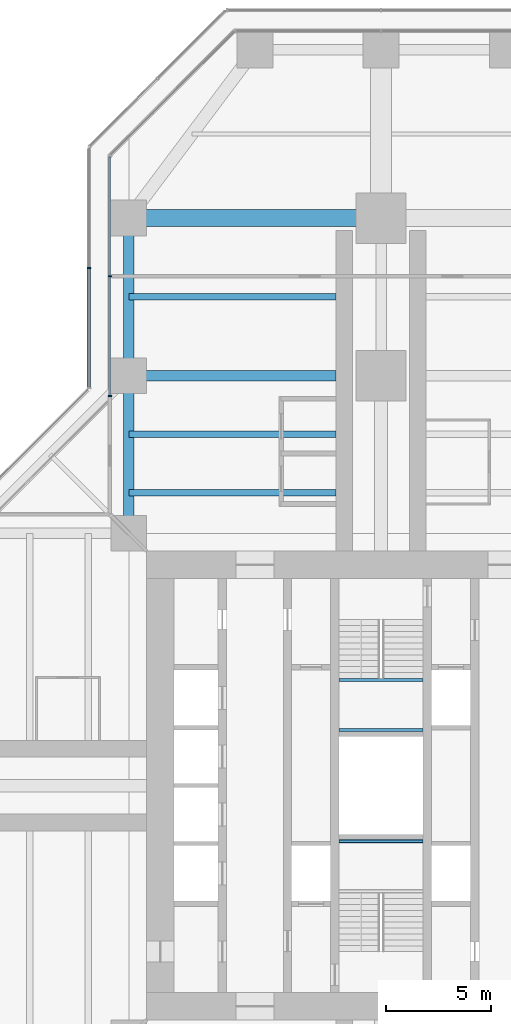
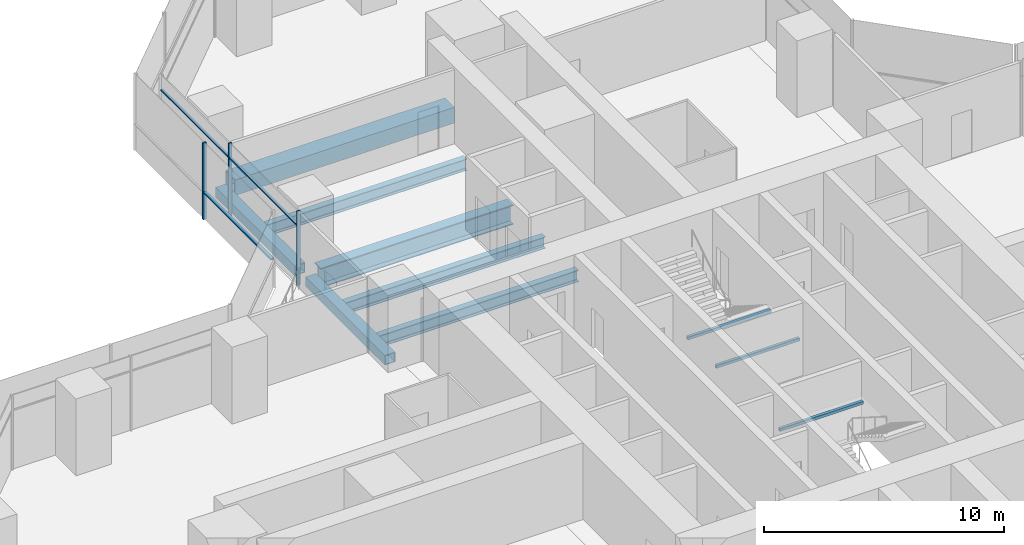
# One storey, part 9 of 22: 10 beams, 6 members, 2 elements without a shape of their own.
"""IFC4 building model written with IfcOpenShell, lengths in metres."""

from ifc_helpers import new_model, si_unit, direction, frame, origin, origin_2d, place, context, subcontext, project, spatial, rectangle, hollow_rectangle, i_section, extrude, material, material_profile, profile_set, type_object, element, aggregate, save


model = new_model("IFC4")

# Units and contexts
model_context = context("Model", 3, precision=1e-05, world=origin(), true_north=direction((0.0, 1.0)))
body_context = subcontext(model_context, "Body", "Model", "MODEL_VIEW")
ifc_project = project(units=[si_unit("LENGTHUNIT", "METRE"), si_unit("AREAUNIT", "SQUARE_METRE"), si_unit("VOLUMEUNIT", "CUBIC_METRE"), si_unit("PLANEANGLEUNIT", "RADIAN"), si_unit("MASSUNIT", "GRAM", prefix="KILO")], contexts=[model_context])

# Site, building, storey
site_placement = place(None, origin())
site = spatial("IfcSite", under=ifc_project, at=site_placement, CompositionType="ELEMENT")
building_placement = place(site_placement, origin())
building = spatial("IfcBuilding", under=site, at=building_placement, Name="Mizan Broadcast Tower", CompositionType="ELEMENT")
storey_placement = place(building_placement, frame((0.0, 0.0, 74.699951171875)))
storey = spatial("IfcBuildingStorey", under=building, at=storey_placement, Name="L15", CompositionType="ELEMENT", Elevation=74.699951171875)

# Beams
ifc_material_1 = material(Name="Steel S355", Category="steel")
ifc_material_profile_1 = material_profile(ifc_material_1, hollow_rectangle(XDim=0.5, YDim=0.5, WallThickness=0.030029296875, at=origin_2d()), Name="BOX 500x500x30")
ifc_profile_set_1 = profile_set([ifc_material_profile_1], Name="Steel S355")
beam_type_1 = type_object("IfcBeamType", Name="EDGE BEAM BOX 500x500x30", PredefinedType="SPANDREL", material=ifc_profile_set_1)
for number, where, z_axis, x_axis, name in (
    (1, (-12.0, 12.449951171875, -0.3798828125), (0.0, 1.0, 0.0), (-1.0, 0.0, 0.0), "Edge beam BOX 500x500x30 L15 north arm"),
    (2, (-12.0, 19.949951171875, -0.3798828125), (0.0, 1.0, 0.0), (-1.0, 0.0, 0.0), "Edge beam BOX 500x500x30 L15 north arm"),
):
    element("IfcBeam", number, at=place(storey_placement, frame(where, z_axis=z_axis, x_axis=x_axis)), inside=storey, type_object=beam_type_1, Name=name, PredefinedType="SPANDREL", context=body_context, shape_type="SweptSolid", body=[
        extrude(hollow_rectangle(XDim=0.5, YDim=0.5, WallThickness=0.030029296875, at=origin_2d()), origin(), (0.0, 0.0, 1.0), 6.60009765625),
    ])
ifc_material_2 = material(Name="Steel S460", Category="steel")
ifc_material_profile_2 = material_profile(ifc_material_2, hollow_rectangle(XDim=0.800048828125, YDim=0.800048828125, WallThickness=0.050048828125, at=origin_2d()), Name="BOX 800x800x50")
ifc_profile_set_2 = profile_set([ifc_material_profile_2], Name="Steel S460")
beam_type_2 = type_object("IfcBeamType", Name="GIRDER BOX 800x800x50", PredefinedType="BEAM", material=ifc_profile_set_2)
beam_1_placement = place(storey_placement, frame((-11.280029296875, 27.0, -0.530029296875), z_axis=(1.0, 0.0, 0.0), x_axis=(0.0, 1.0, 0.0)))
element("IfcBeam", 3, at=beam_1_placement, inside=storey, type_object=beam_type_2, Name="Girder BOX 800x800x50 L15 north arm", PredefinedType="BEAM", context=body_context, shape_type="SweptSolid", body=[
    extrude(hollow_rectangle(XDim=0.800048828125, YDim=0.800048828125, WallThickness=0.050048828125, at=origin_2d()), origin(), (0.0, 0.0, 1.0), 10.56005859375),
])
ifc_material_3 = material(Name="Steel S460", Category="steel")
ifc_material_profile_3 = material_profile(ifc_material_3, i_section(OverallWidth=0.5, OverallDepth=1.0, WebThickness=0.02490234375, FlangeThickness=0.050048828125, at=origin_2d()), Name="WPG 1000x500")
ifc_profile_set_3 = profile_set([ifc_material_profile_3], Name="Steel S460")
beam_type_3 = type_object("IfcBeamType", Name="GIRDER WPG 1000x500", PredefinedType="BEAM", material=ifc_profile_set_3)
beam_2_placement = place(storey_placement, frame((-11.408935546875, 19.5, -0.6298828125), z_axis=(1.0, 0.0, 0.0), x_axis=(0.0, 1.0, 0.0)))
element("IfcBeam", 4, at=beam_2_placement, inside=storey, type_object=beam_type_3, Name="Girder WPG 1000x500 L15 north arm", PredefinedType="BEAM", context=body_context, shape_type="SweptSolid", body=[
    extrude(i_section(OverallWidth=0.5, OverallDepth=1.0, WebThickness=0.02490234375, FlangeThickness=0.050048828125, at=origin_2d()), origin(), (0.0, 0.0, 1.0), 9.259033203125),
])

# Curtain wall, members
ifc_material_4 = material(Name="Aluminium framed glazing", Category="aluminium")
curtain_wall_type_1 = type_object("IfcCurtainWallType", Name="INNER SKIN LOW ZONE", PredefinedType="USERDEFINED", material=ifc_material_4)
curtain_wall_1_placement = place(storey_placement, origin())
curtain_wall_1 = element("IfcCurtainWall", 5, at=curtain_wall_1_placement, inside=storey, type_object=curtain_wall_type_1, Name="Inner skin low zone L15 N side", ObjectType="INNER SKIN LOW ZONE", PredefinedType="USERDEFINED")
ifc_material_5 = material(Name="Aluminium, pale anodised", Category="aluminium")
ifc_material_profile_4 = material_profile(ifc_material_5, rectangle(XDim=0.159912109375, YDim=0.06005859375, at=origin_2d()), Name="MULLION 160x60")
ifc_profile_set_4 = profile_set([ifc_material_profile_4], Name="Aluminium, pale anodised")
member_type_1 = type_object("IfcMemberType", Name="INNER SKIN MULLION 60x160", PredefinedType="MULLION", material=ifc_profile_set_4)
member_1_placement = place(storey_placement, frame((-12.89990234375, 24.229248046875, 0.0), z_axis=(0.0, 0.0, 1.0), x_axis=(1.0, 0.0, 0.0)))
member_1 = element("IfcMember", 6, at=member_1_placement, type_object=member_type_1, Name="Inner skin low zone L15 N side mullion 2", PredefinedType="MULLION", context=body_context, shape_type="SweptSolid", body=[
    extrude(rectangle(XDim=0.159912109375, YDim=0.06005859375, at=origin_2d()), origin(), (0.0, 0.0, 1.0), 3.77001953125),
])
member_2_placement = place(storey_placement, frame((-12.89990234375, 18.530029296875, 0.0), z_axis=(0.0, 0.0, 1.0), x_axis=(1.0, 0.0, 0.0)))
member_2 = element("IfcMember", 7, at=member_2_placement, type_object=member_type_1, Name="Inner skin low zone L15 N side mullion 3", PredefinedType="MULLION", context=body_context, shape_type="SweptSolid", body=[
    extrude(rectangle(XDim=0.159912109375, YDim=0.06005859375, at=origin_2d()), origin(), (0.0, 0.0, 1.0), 3.77001953125),
])
ifc_material_6 = material(Name="Aluminium, pale anodised", Category="aluminium")
ifc_material_profile_5 = material_profile(ifc_material_6, rectangle(XDim=0.1201171875, YDim=0.06005859375, at=origin_2d()), Name="TRANSOM 120x60")
ifc_profile_set_5 = profile_set([ifc_material_profile_5], Name="Aluminium, pale anodised")
member_type_2 = type_object("IfcMemberType", Name="INNER SKIN TRANSOM 60x120", PredefinedType="USERDEFINED", material=ifc_profile_set_5)
member_3_placement = place(storey_placement, frame((-12.89990234375, 29.898681640625, 3.030029296875), z_axis=(0.0, -1.0, 0.0), x_axis=(1.0, 0.0, 0.0)))
member_3 = element("IfcMember", 8, at=member_3_placement, type_object=member_type_2, Name="Inner skin low zone L15 N side transom 1.1", ObjectType="TRANSOM", PredefinedType="USERDEFINED", context=body_context, shape_type="SweptSolid", body=[
    extrude(rectangle(XDim=0.1201171875, YDim=0.06005859375, at=origin_2d()), origin(), (0.0, 0.0, 1.0), 5.639404296875),
])
member_4_placement = place(storey_placement, frame((-12.89990234375, 24.19921875, 3.030029296875), z_axis=(0.0, -1.0, 0.0), x_axis=(1.0, 0.0, 0.0)))
member_4 = element("IfcMember", 9, at=member_4_placement, type_object=member_type_2, Name="Inner skin low zone L15 N side transom 2.1", ObjectType="TRANSOM", PredefinedType="USERDEFINED", context=body_context, shape_type="SweptSolid", body=[
    extrude(rectangle(XDim=0.1201171875, YDim=0.06005859375, at=origin_2d()), origin(), (0.0, 0.0, 1.0), 5.63916015625),
])
aggregate(curtain_wall_1, [member_1, member_2, member_3, member_4])

# Beams
ifc_material_7 = material(Name="Steel S355", Category="steel")
ifc_material_profile_6 = material_profile(ifc_material_7, hollow_rectangle(XDim=0.14990234375, YDim=0.14990234375, WallThickness=0.008056640625, InnerFilletRadius=0.008056640625, OuterFilletRadius=0.011962890625, at=origin_2d()), Name="SHS 150x150x8")
ifc_profile_set_6 = profile_set([ifc_material_profile_6], Name="Steel S355")
beam_type_4 = type_object("IfcBeamType", Name="LANDING TRIMMER SHS 150x150x8", PredefinedType="BEAM", material=ifc_profile_set_6)
for number, where, z_axis, x_axis, name in (
    (10, (-2.0, -2.64990234375, 1.675048828125), (1.0, 0.0, 0.0), (0.0, 1.0, 0.0), "Stair A landing trimmer L15"),
    (11, (2.0, 5.02490234375, 1.675048828125), (-1.0, 0.0, 0.0), (0.0, -1.0, 0.0), "Stair B landing trimmer L15"),
    (12, (2.0, 2.64990234375, 1.675048828125), (-1.0, 0.0, 0.0), (0.0, -1.0, 0.0), "Stair B landing trimmer L15"),
):
    element("IfcBeam", number, at=place(storey_placement, frame(where, z_axis=z_axis, x_axis=x_axis)), inside=storey, type_object=beam_type_4, Name=name, PredefinedType="BEAM", context=body_context, shape_type="SweptSolid", body=[
        extrude(hollow_rectangle(XDim=0.14990234375, YDim=0.14990234375, WallThickness=0.008056640625, InnerFilletRadius=0.008056640625, OuterFilletRadius=0.011962890625, at=origin_2d()), origin(), (0.0, 0.0, 1.0), 4.0),
    ])

# Curtain wall, members
ifc_material_8 = material(Name="Aluminium framed glazing", Category="aluminium")
curtain_wall_type_2 = type_object("IfcCurtainWallType", Name="OUTER SKIN", PredefinedType="USERDEFINED", material=ifc_material_8)
curtain_wall_2_placement = place(storey_placement, origin())
curtain_wall_2 = element("IfcCurtainWall", 13, at=curtain_wall_2_placement, inside=storey, type_object=curtain_wall_type_2, Name="Outer skin L15 N side", ObjectType="OUTER SKIN", PredefinedType="USERDEFINED")
ifc_material_9 = material(Name="Aluminium, pale anodised", Category="aluminium")
ifc_material_profile_7 = material_profile(ifc_material_9, rectangle(XDim=0.159912109375, YDim=0.080078125, at=origin_2d()), Name="MULLION 160x80")
ifc_profile_set_7 = profile_set([ifc_material_profile_7], Name="Aluminium, pale anodised")
member_type_3 = type_object("IfcMemberType", Name="OUTER SKIN MULLION 80x160", PredefinedType="MULLION", material=ifc_profile_set_7)
member_5_placement = place(storey_placement, frame((-13.89990234375, 24.622802734375, 0.0), z_axis=(0.0, 0.0, 1.0), x_axis=(1.0, 0.0, 0.0)))
member_5 = element("IfcMember", 14, at=member_5_placement, type_object=member_type_3, Name="Outer skin L15 N side mullion 2", PredefinedType="MULLION", context=body_context, shape_type="SweptSolid", body=[
    extrude(rectangle(XDim=0.159912109375, YDim=0.080078125, at=origin_2d()), origin(), (0.0, 0.0, 1.0), 3.900146484375),
])
ifc_material_10 = material(Name="Aluminium, pale anodised", Category="aluminium")
ifc_material_profile_8 = material_profile(ifc_material_10, rectangle(XDim=0.159912109375, YDim=0.06005859375, at=origin_2d()), Name="TRANSOM 160x60")
ifc_profile_set_8 = profile_set([ifc_material_profile_8], Name="Aluminium, pale anodised")
member_type_4 = type_object("IfcMemberType", Name="OUTER SKIN TRANSOM 60x160", PredefinedType="USERDEFINED", material=ifc_profile_set_8)
member_6_placement = place(storey_placement, frame((-13.89990234375, 24.582763671875, 1.400146484375), z_axis=(0.0, -1.0, 0.0), x_axis=(1.0, 0.0, 0.0)))
member_6 = element("IfcMember", 15, at=member_6_placement, type_object=member_type_4, Name="Outer skin L15 N side transom 2.1", ObjectType="TRANSOM", PredefinedType="USERDEFINED", context=body_context, shape_type="SweptSolid", body=[
    extrude(rectangle(XDim=0.159912109375, YDim=0.06005859375, at=origin_2d()), origin(), (0.0, 0.0, 1.0), 5.6298828125),
])
aggregate(curtain_wall_2, [member_5, member_6])

# Beams
ifc_material_11 = material(Name="Steel S355", Category="steel")
ifc_material_profile_9 = material_profile(ifc_material_11, i_section(OverallWidth=0.300048828125, OverallDepth=0.590087890625, WebThickness=0.012939453125, FlangeThickness=0.02490234375, FilletRadius=0.027099609375, at=origin_2d()), Name="HEA 600")
ifc_profile_set_9 = profile_set([ifc_material_profile_9], Name="Steel S355")
beam_type_5 = type_object("IfcBeamType", Name="SECONDARY BEAM HEA 600", PredefinedType="JOIST", material=ifc_profile_set_9)
for number, where, z_axis, x_axis, name in (
    (16, (-12.0, 13.933349609375, -0.425048828125), (1.0, 0.0, 0.0), (0.0, 1.0, 0.0), "Secondary beam HEA 600 L15 north arm"),
    (17, (-12.0, 16.716552734375, -0.425048828125), (1.0, 0.0, 0.0), (0.0, 1.0, 0.0), "Secondary beam HEA 600 L15 north arm"),
    (18, (-12.0, 23.25, -0.425048828125), (1.0, 0.0, 0.0), (0.0, 1.0, 0.0), "Secondary beam HEA 600 L15 north arm"),
):
    element("IfcBeam", number, at=place(storey_placement, frame(where, z_axis=z_axis, x_axis=x_axis)), inside=storey, type_object=beam_type_5, Name=name, PredefinedType="JOIST", context=body_context, shape_type="SweptSolid", body=[
        extrude(i_section(OverallWidth=0.300048828125, OverallDepth=0.590087890625, WebThickness=0.012939453125, FlangeThickness=0.02490234375, FilletRadius=0.027099609375, at=origin_2d()), origin(), (0.0, 0.0, 1.0), 9.85009765625),
    ])

save(model, "model.ifc")
